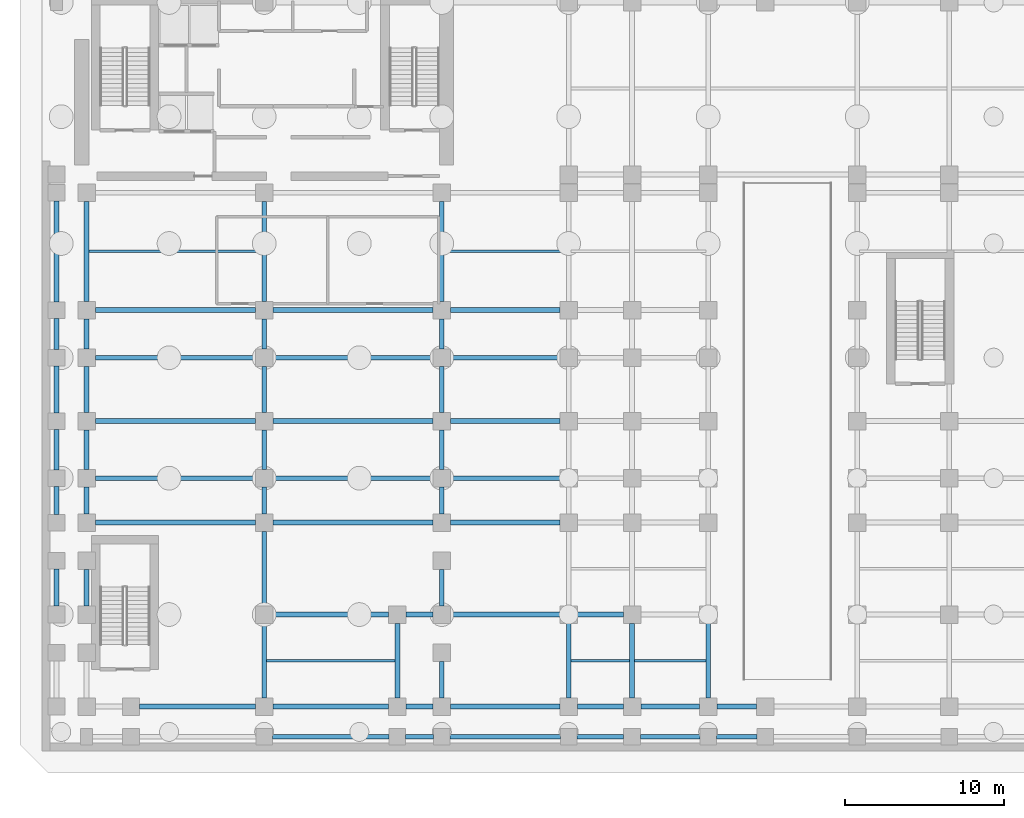
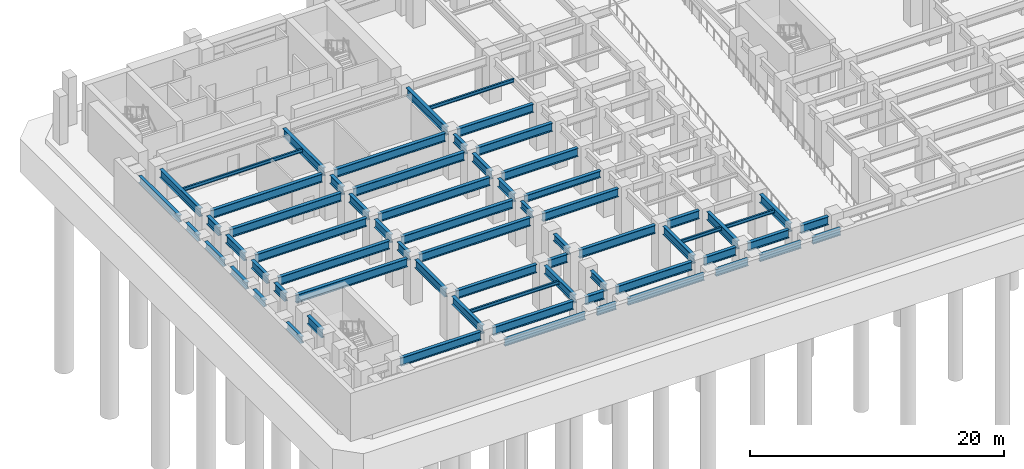
# One storey, part 2 of 13: 67 beams.
"""IFC4 building model written with IfcOpenShell, lengths in metres."""

from ifc_helpers import new_model, si_unit, direction, frame, origin, origin_2d, place, context, subcontext, project, spatial, i_section, extrude, material, material_profile, profile_set, type_object, element, save


model = new_model("IFC4")

# Units and contexts
model_context = context("Model", 3, precision=1e-05, world=origin(), true_north=direction((0.0, 1.0)))
body_context = subcontext(model_context, "Body", "Model", "MODEL_VIEW")
ifc_project = project(units=[si_unit("LENGTHUNIT", "METRE"), si_unit("AREAUNIT", "SQUARE_METRE"), si_unit("VOLUMEUNIT", "CUBIC_METRE"), si_unit("PLANEANGLEUNIT", "RADIAN"), si_unit("MASSUNIT", "GRAM", prefix="KILO")], contexts=[model_context])

# Site, building, storey
site_placement = place(None, origin())
site = spatial("IfcSite", under=ifc_project, at=site_placement, CompositionType="ELEMENT")
building_placement = place(site_placement, origin())
building = spatial("IfcBuilding", under=site, at=building_placement, Name="Kefirva Bronze Tower", CompositionType="ELEMENT")
storey_placement = place(building_placement, frame((0.0, 0.0, -9.239990234375)))
storey = spatial("IfcBuildingStorey", under=building, at=storey_placement, Name="B2", CompositionType="ELEMENT", Elevation=-9.239990234375)

# Beams
ifc_material = material(Name="Steel S355", Category="steel")
ifc_material_profile_1 = material_profile(ifc_material, i_section(OverallWidth=0.159912109375, OverallDepth=0.330078125, WebThickness=0.007568359375, FlangeThickness=0.011474609375, at=origin_2d()), Name="IPE 330")
ifc_profile_set_1 = profile_set([ifc_material_profile_1], Name="Steel S355")
beam_type_1 = type_object("IfcBeamType", Name="Steel Floor Joist IPE 330", PredefinedType="JOIST", material=ifc_profile_set_1)
beam_1_placement = place(storey_placement, frame((0.949951171875, 29.5, 4.10498046875), z_axis=(1.0, 0.0, 0.0), x_axis=(0.0, 1.0, 0.0)))
element("IfcBeam", 1, at=beam_1_placement, inside=storey, type_object=beam_type_1, Name="B2 JST-B2-0-295", PredefinedType="JOIST", context=body_context, shape_type="SweptSolid", body=[
    extrude(i_section(OverallWidth=0.159912109375, OverallDepth=0.330078125, WebThickness=0.007568359375, FlangeThickness=0.011474609375, at=origin_2d()), origin(), (0.0, 0.0, 1.0), 10.900146484375),
])
beam_2_placement = place(storey_placement, frame((12.14990234375, 3.699951171875, 4.10498046875), z_axis=(1.0, 0.0, 0.0), x_axis=(0.0, 1.0, 0.0)))
element("IfcBeam", 2, at=beam_2_placement, inside=storey, type_object=beam_type_1, Name="B2 JST-B2-12-37", PredefinedType="JOIST", context=body_context, shape_type="SweptSolid", body=[
    extrude(i_section(OverallWidth=0.159912109375, OverallDepth=0.330078125, WebThickness=0.007568359375, FlangeThickness=0.011474609375, at=origin_2d()), origin(), (0.0, 0.0, 1.0), 8.10009765625),
])
beam_3_placement = place(storey_placement, frame((23.35009765625, 29.5, 4.10498046875), z_axis=(1.0, 0.0, 0.0), x_axis=(0.0, 1.0, 0.0)))
element("IfcBeam", 3, at=beam_3_placement, inside=storey, type_object=beam_type_1, Name="B2 JST-B2-23-295", PredefinedType="JOIST", context=body_context, shape_type="SweptSolid", body=[
    extrude(i_section(OverallWidth=0.159912109375, OverallDepth=0.330078125, WebThickness=0.007568359375, FlangeThickness=0.011474609375, at=origin_2d()), origin(), (0.0, 0.0, 1.0), 7.699951171875),
])
beam_4_placement = place(storey_placement, frame((31.35009765625, 3.699951171875, 4.10498046875), z_axis=(1.0, 0.0, 0.0), x_axis=(0.0, 1.0, 0.0)))
element("IfcBeam", 4, at=beam_4_placement, inside=storey, type_object=beam_type_1, Name="B2 JST-B2-31-37", PredefinedType="JOIST", context=body_context, shape_type="SweptSolid", body=[
    extrude(i_section(OverallWidth=0.159912109375, OverallDepth=0.330078125, WebThickness=0.007568359375, FlangeThickness=0.011474609375, at=origin_2d()), origin(), (0.0, 0.0, 1.0), 3.699951171875),
])
beam_5_placement = place(storey_placement, frame((35.35009765625, 3.699951171875, 4.10498046875), z_axis=(1.0, 0.0, 0.0), x_axis=(0.0, 1.0, 0.0)))
element("IfcBeam", 5, at=beam_5_placement, inside=storey, type_object=beam_type_1, Name="B2 JST-B2-35-37", PredefinedType="JOIST", context=body_context, shape_type="SweptSolid", body=[
    extrude(i_section(OverallWidth=0.159912109375, OverallDepth=0.330078125, WebThickness=0.007568359375, FlangeThickness=0.011474609375, at=origin_2d()), origin(), (0.0, 0.0, 1.0), 4.5),
])
ifc_material_profile_2 = material_profile(ifc_material, i_section(OverallWidth=0.300048828125, OverallDepth=0.800048828125, WebThickness=0.017578125, FlangeThickness=0.032958984375, at=origin_2d()), Name="HEB 800")
ifc_profile_set_2 = profile_set([ifc_material_profile_2], Name="Steel S355")
beam_type_2 = type_object("IfcBeamType", Name="Steel Girder HEB 800", PredefinedType="USERDEFINED", material=ifc_profile_set_2)
for number, where, z_axis, x_axis, name in (
    (6, (4.14990234375, 0.800048828125, 3.869873046875), (1.0, 0.0, 0.0), (0.0, 1.0, 0.0), "B2 BM-B2-EW-3-8"),
    (7, (12.550048828125, 0.800048828125, 3.869873046875), (1.0, 0.0, 0.0), (0.0, 1.0, 0.0), "B2 BM-B2-EW-12-8"),
):
    element("IfcBeam", number, at=place(storey_placement, frame(where, z_axis=z_axis, x_axis=x_axis)), inside=storey, type_object=beam_type_2, Name=name, ObjectType="GIRDER", PredefinedType="USERDEFINED", context=body_context, shape_type="SweptSolid", body=[
        extrude(i_section(OverallWidth=0.300048828125, OverallDepth=0.800048828125, WebThickness=0.017578125, FlangeThickness=0.032958984375, at=origin_2d()), origin(), (0.0, 0.0, 1.0), 7.300048828125),
    ])
beam_6_placement = place(storey_placement, frame((20.949951171875, 0.800048828125, 3.869873046875), z_axis=(1.0, 0.0, 0.0), x_axis=(0.0, 1.0, 0.0)))
element("IfcBeam", 8, at=beam_6_placement, inside=storey, type_object=beam_type_2, Name="B2 BM-B2-EW-20-8", ObjectType="GIRDER", PredefinedType="USERDEFINED", context=body_context, shape_type="SweptSolid", body=[
    extrude(i_section(OverallWidth=0.300048828125, OverallDepth=0.800048828125, WebThickness=0.017578125, FlangeThickness=0.032958984375, at=origin_2d()), origin(), (0.0, 0.0, 1.0), 1.699951171875),
])
beam_7_placement = place(storey_placement, frame((23.75, 0.800048828125, 3.869873046875), z_axis=(1.0, 0.0, 0.0), x_axis=(0.0, 1.0, 0.0)))
element("IfcBeam", 9, at=beam_7_placement, inside=storey, type_object=beam_type_2, Name="B2 BM-B2-EW-23-8", ObjectType="GIRDER", PredefinedType="USERDEFINED", context=body_context, shape_type="SweptSolid", body=[
    extrude(i_section(OverallWidth=0.300048828125, OverallDepth=0.800048828125, WebThickness=0.017578125, FlangeThickness=0.032958984375, at=origin_2d()), origin(), (0.0, 0.0, 1.0), 6.89990234375),
])
beam_8_placement = place(storey_placement, frame((31.75, 0.800048828125, 3.869873046875), z_axis=(1.0, 0.0, 0.0), x_axis=(0.0, 1.0, 0.0)))
element("IfcBeam", 10, at=beam_8_placement, inside=storey, type_object=beam_type_2, Name="B2 BM-B2-EW-31-8", ObjectType="GIRDER", PredefinedType="USERDEFINED", context=body_context, shape_type="SweptSolid", body=[
    extrude(i_section(OverallWidth=0.300048828125, OverallDepth=0.800048828125, WebThickness=0.017578125, FlangeThickness=0.032958984375, at=origin_2d()), origin(), (0.0, 0.0, 1.0), 2.89990234375),
])
beam_9_placement = place(storey_placement, frame((35.75, 0.800048828125, 3.869873046875), z_axis=(1.0, 0.0, 0.0), x_axis=(0.0, 1.0, 0.0)))
element("IfcBeam", 11, at=beam_9_placement, inside=storey, type_object=beam_type_2, Name="B2 BM-B2-EW-35-8", ObjectType="GIRDER", PredefinedType="USERDEFINED", context=body_context, shape_type="SweptSolid", body=[
    extrude(i_section(OverallWidth=0.300048828125, OverallDepth=0.800048828125, WebThickness=0.017578125, FlangeThickness=0.032958984375, at=origin_2d()), origin(), (0.0, 0.0, 1.0), 3.699951171875),
])
beam_10_placement = place(storey_placement, frame((40.550048828125, 0.800048828125, 3.869873046875), z_axis=(1.0, 0.0, 0.0), x_axis=(0.0, 1.0, 0.0)))
element("IfcBeam", 12, at=beam_10_placement, inside=storey, type_object=beam_type_2, Name="B2 BM-B2-EW-40-8", ObjectType="GIRDER", PredefinedType="USERDEFINED", context=body_context, shape_type="SweptSolid", body=[
    extrude(i_section(OverallWidth=0.300048828125, OverallDepth=0.800048828125, WebThickness=0.017578125, FlangeThickness=0.032958984375, at=origin_2d()), origin(), (0.0, 0.0, 1.0), 2.5),
])
beam_11_placement = place(storey_placement, frame((12.550048828125, 6.60009765625, 3.869873046875), z_axis=(1.0, 0.0, 0.0), x_axis=(0.0, 1.0, 0.0)))
element("IfcBeam", 13, at=beam_11_placement, inside=storey, type_object=beam_type_2, Name="B2 BM-B2-EW-12-66", ObjectType="GIRDER", PredefinedType="USERDEFINED", context=body_context, shape_type="SweptSolid", body=[
    extrude(i_section(OverallWidth=0.300048828125, OverallDepth=0.800048828125, WebThickness=0.017578125, FlangeThickness=0.032958984375, at=origin_2d()), origin(), (0.0, 0.0, 1.0), 7.300048828125),
])
beam_12_placement = place(storey_placement, frame((20.949951171875, 6.60009765625, 3.869873046875), z_axis=(1.0, 0.0, 0.0), x_axis=(0.0, 1.0, 0.0)))
element("IfcBeam", 14, at=beam_12_placement, inside=storey, type_object=beam_type_2, Name="B2 BM-B2-EW-20-66", ObjectType="GIRDER", PredefinedType="USERDEFINED", context=body_context, shape_type="SweptSolid", body=[
    extrude(i_section(OverallWidth=0.300048828125, OverallDepth=0.800048828125, WebThickness=0.017578125, FlangeThickness=0.032958984375, at=origin_2d()), origin(), (0.0, 0.0, 1.0), 1.699951171875),
])
beam_13_placement = place(storey_placement, frame((23.75, 6.60009765625, 3.869873046875), z_axis=(1.0, 0.0, 0.0), x_axis=(0.0, 1.0, 0.0)))
element("IfcBeam", 15, at=beam_13_placement, inside=storey, type_object=beam_type_2, Name="B2 BM-B2-EW-23-66", ObjectType="GIRDER", PredefinedType="USERDEFINED", context=body_context, shape_type="SweptSolid", body=[
    extrude(i_section(OverallWidth=0.300048828125, OverallDepth=0.800048828125, WebThickness=0.017578125, FlangeThickness=0.032958984375, at=origin_2d()), origin(), (0.0, 0.0, 1.0), 6.89990234375),
])
beam_14_placement = place(storey_placement, frame((31.75, 6.60009765625, 3.869873046875), z_axis=(1.0, 0.0, 0.0), x_axis=(0.0, 1.0, 0.0)))
element("IfcBeam", 16, at=beam_14_placement, inside=storey, type_object=beam_type_2, Name="B2 BM-B2-EW-31-66", ObjectType="GIRDER", PredefinedType="USERDEFINED", context=body_context, shape_type="SweptSolid", body=[
    extrude(i_section(OverallWidth=0.300048828125, OverallDepth=0.800048828125, WebThickness=0.017578125, FlangeThickness=0.032958984375, at=origin_2d()), origin(), (0.0, 0.0, 1.0), 2.89990234375),
])
for number, where, z_axis, x_axis, name in (
    (17, (1.35009765625, 12.39990234375, 3.869873046875), (1.0, 0.0, 0.0), (0.0, 1.0, 0.0), "B2 BM-B2-EW-0-124"),
    (18, (12.550048828125, 12.39990234375, 3.869873046875), (1.0, 0.0, 0.0), (0.0, 1.0, 0.0), "B2 BM-B2-EW-12-124"),
):
    element("IfcBeam", number, at=place(storey_placement, frame(where, z_axis=z_axis, x_axis=x_axis)), inside=storey, type_object=beam_type_2, Name=name, ObjectType="GIRDER", PredefinedType="USERDEFINED", context=body_context, shape_type="SweptSolid", body=[
        extrude(i_section(OverallWidth=0.300048828125, OverallDepth=0.800048828125, WebThickness=0.017578125, FlangeThickness=0.032958984375, at=origin_2d()), origin(), (0.0, 0.0, 1.0), 10.099853515625),
    ])
beam_15_placement = place(storey_placement, frame((23.75, 12.39990234375, 3.869873046875), z_axis=(1.0, 0.0, 0.0), x_axis=(0.0, 1.0, 0.0)))
element("IfcBeam", 19, at=beam_15_placement, inside=storey, type_object=beam_type_2, Name="B2 BM-B2-EW-23-124", ObjectType="GIRDER", PredefinedType="USERDEFINED", context=body_context, shape_type="SweptSolid", body=[
    extrude(i_section(OverallWidth=0.300048828125, OverallDepth=0.800048828125, WebThickness=0.017578125, FlangeThickness=0.032958984375, at=origin_2d()), origin(), (0.0, 0.0, 1.0), 6.89990234375),
])
for number, where, z_axis, x_axis, name in (
    (20, (1.35009765625, 15.199951171875, 3.869873046875), (1.0, 0.0, 0.0), (0.0, 1.0, 0.0), "B2 BM-B2-EW-0-152"),
    (21, (12.550048828125, 15.199951171875, 3.869873046875), (1.0, 0.0, 0.0), (0.0, 1.0, 0.0), "B2 BM-B2-EW-12-152"),
    (22, (1.35009765625, 18.800048828125, 3.869873046875), (1.0, 0.0, 0.0), (0.0, 1.0, 0.0), "B2 BM-B2-EW-0-188"),
    (23, (12.550048828125, 18.800048828125, 3.869873046875), (1.0, 0.0, 0.0), (0.0, 1.0, 0.0), "B2 BM-B2-EW-12-188"),
):
    element("IfcBeam", number, at=place(storey_placement, frame(where, z_axis=z_axis, x_axis=x_axis)), inside=storey, type_object=beam_type_2, Name=name, ObjectType="GIRDER", PredefinedType="USERDEFINED", context=body_context, shape_type="SweptSolid", body=[
        extrude(i_section(OverallWidth=0.300048828125, OverallDepth=0.800048828125, WebThickness=0.017578125, FlangeThickness=0.032958984375, at=origin_2d()), origin(), (0.0, 0.0, 1.0), 10.099853515625),
    ])
beam_16_placement = place(storey_placement, frame((23.75, 18.800048828125, 3.869873046875), z_axis=(1.0, 0.0, 0.0), x_axis=(0.0, 1.0, 0.0)))
element("IfcBeam", 24, at=beam_16_placement, inside=storey, type_object=beam_type_2, Name="B2 BM-B2-EW-23-188", ObjectType="GIRDER", PredefinedType="USERDEFINED", context=body_context, shape_type="SweptSolid", body=[
    extrude(i_section(OverallWidth=0.300048828125, OverallDepth=0.800048828125, WebThickness=0.017578125, FlangeThickness=0.032958984375, at=origin_2d()), origin(), (0.0, 0.0, 1.0), 6.89990234375),
])
for number, where, z_axis, x_axis, name in (
    (25, (1.35009765625, 22.800048828125, 3.869873046875), (1.0, 0.0, 0.0), (0.0, 1.0, 0.0), "B2 BM-B2-EW-0-228"),
    (26, (12.550048828125, 22.800048828125, 3.869873046875), (1.0, 0.0, 0.0), (0.0, 1.0, 0.0), "B2 BM-B2-EW-12-228"),
):
    element("IfcBeam", number, at=place(storey_placement, frame(where, z_axis=z_axis, x_axis=x_axis)), inside=storey, type_object=beam_type_2, Name=name, ObjectType="GIRDER", PredefinedType="USERDEFINED", context=body_context, shape_type="SweptSolid", body=[
        extrude(i_section(OverallWidth=0.300048828125, OverallDepth=0.800048828125, WebThickness=0.017578125, FlangeThickness=0.032958984375, at=origin_2d()), origin(), (0.0, 0.0, 1.0), 10.099853515625),
    ])
beam_17_placement = place(storey_placement, frame((23.75, 22.800048828125, 3.869873046875), z_axis=(1.0, 0.0, 0.0), x_axis=(0.0, 1.0, 0.0)))
element("IfcBeam", 27, at=beam_17_placement, inside=storey, type_object=beam_type_2, Name="B2 BM-B2-EW-23-228", ObjectType="GIRDER", PredefinedType="USERDEFINED", context=body_context, shape_type="SweptSolid", body=[
    extrude(i_section(OverallWidth=0.300048828125, OverallDepth=0.800048828125, WebThickness=0.017578125, FlangeThickness=0.032958984375, at=origin_2d()), origin(), (0.0, 0.0, 1.0), 6.89990234375),
])
for number, where, z_axis, x_axis, name in (
    (28, (1.35009765625, 25.800048828125, 3.869873046875), (1.0, 0.0, 0.0), (0.0, 1.0, 0.0), "B2 BM-B2-EW-0-258"),
    (29, (12.550048828125, 25.800048828125, 3.869873046875), (1.0, 0.0, 0.0), (0.0, 1.0, 0.0), "B2 BM-B2-EW-12-258"),
):
    element("IfcBeam", number, at=place(storey_placement, frame(where, z_axis=z_axis, x_axis=x_axis)), inside=storey, type_object=beam_type_2, Name=name, ObjectType="GIRDER", PredefinedType="USERDEFINED", context=body_context, shape_type="SweptSolid", body=[
        extrude(i_section(OverallWidth=0.300048828125, OverallDepth=0.800048828125, WebThickness=0.017578125, FlangeThickness=0.032958984375, at=origin_2d()), origin(), (0.0, 0.0, 1.0), 10.099853515625),
    ])
beam_18_placement = place(storey_placement, frame((23.75, 25.800048828125, 3.869873046875), z_axis=(1.0, 0.0, 0.0), x_axis=(0.0, 1.0, 0.0)))
element("IfcBeam", 30, at=beam_18_placement, inside=storey, type_object=beam_type_2, Name="B2 BM-B2-EW-23-258", ObjectType="GIRDER", PredefinedType="USERDEFINED", context=body_context, shape_type="SweptSolid", body=[
    extrude(i_section(OverallWidth=0.300048828125, OverallDepth=0.800048828125, WebThickness=0.017578125, FlangeThickness=0.032958984375, at=origin_2d()), origin(), (0.0, 0.0, 1.0), 6.89990234375),
])
beam_19_placement = place(storey_placement, frame((0.800048828125, 7.14990234375, 3.869873046875), z_axis=(0.0, 1.0, 0.0), x_axis=(-1.0, 0.0, 0.0)))
element("IfcBeam", 31, at=beam_19_placement, inside=storey, type_object=beam_type_2, Name="B2 BM-B2-NS-8-6", ObjectType="GIRDER", PredefinedType="USERDEFINED", context=body_context, shape_type="SweptSolid", body=[
    extrude(i_section(OverallWidth=0.300048828125, OverallDepth=0.800048828125, WebThickness=0.017578125, FlangeThickness=0.032958984375, at=origin_2d()), origin(), (0.0, 0.0, 1.0), 2.300048828125),
])
beam_20_placement = place(storey_placement, frame((0.800048828125, 12.949951171875, 3.869873046875), z_axis=(0.0, 1.0, 0.0), x_axis=(-1.0, 0.0, 0.0)))
element("IfcBeam", 32, at=beam_20_placement, inside=storey, type_object=beam_type_2, Name="B2 BM-B2-NS-8-12", ObjectType="GIRDER", PredefinedType="USERDEFINED", context=body_context, shape_type="SweptSolid", body=[
    extrude(i_section(OverallWidth=0.300048828125, OverallDepth=0.800048828125, WebThickness=0.017578125, FlangeThickness=0.032958984375, at=origin_2d()), origin(), (0.0, 0.0, 1.0), 1.699951171875),
])
beam_21_placement = place(storey_placement, frame((0.800048828125, 15.75, 3.869873046875), z_axis=(0.0, 1.0, 0.0), x_axis=(-1.0, 0.0, 0.0)))
element("IfcBeam", 33, at=beam_21_placement, inside=storey, type_object=beam_type_2, Name="B2 BM-B2-NS-8-15", ObjectType="GIRDER", PredefinedType="USERDEFINED", context=body_context, shape_type="SweptSolid", body=[
    extrude(i_section(OverallWidth=0.300048828125, OverallDepth=0.800048828125, WebThickness=0.017578125, FlangeThickness=0.032958984375, at=origin_2d()), origin(), (0.0, 0.0, 1.0), 2.5),
])
beam_22_placement = place(storey_placement, frame((0.800048828125, 19.35009765625, 3.869873046875), z_axis=(0.0, 1.0, 0.0), x_axis=(-1.0, 0.0, 0.0)))
element("IfcBeam", 34, at=beam_22_placement, inside=storey, type_object=beam_type_2, Name="B2 BM-B2-NS-8-18", ObjectType="GIRDER", PredefinedType="USERDEFINED", context=body_context, shape_type="SweptSolid", body=[
    extrude(i_section(OverallWidth=0.300048828125, OverallDepth=0.800048828125, WebThickness=0.017578125, FlangeThickness=0.032958984375, at=origin_2d()), origin(), (0.0, 0.0, 1.0), 2.89990234375),
])
beam_23_placement = place(storey_placement, frame((0.800048828125, 23.35009765625, 3.869873046875), z_axis=(0.0, 1.0, 0.0), x_axis=(-1.0, 0.0, 0.0)))
element("IfcBeam", 35, at=beam_23_placement, inside=storey, type_object=beam_type_2, Name="B2 BM-B2-NS-8-22", ObjectType="GIRDER", PredefinedType="USERDEFINED", context=body_context, shape_type="SweptSolid", body=[
    extrude(i_section(OverallWidth=0.300048828125, OverallDepth=0.800048828125, WebThickness=0.017578125, FlangeThickness=0.032958984375, at=origin_2d()), origin(), (0.0, 0.0, 1.0), 1.89990234375),
])
beam_24_placement = place(storey_placement, frame((0.800048828125, 26.35009765625, 3.869873046875), z_axis=(0.0, 1.0, 0.0), x_axis=(-1.0, 0.0, 0.0)))
element("IfcBeam", 36, at=beam_24_placement, inside=storey, type_object=beam_type_2, Name="B2 BM-B2-NS-8-25", ObjectType="GIRDER", PredefinedType="USERDEFINED", context=body_context, shape_type="SweptSolid", body=[
    extrude(i_section(OverallWidth=0.300048828125, OverallDepth=0.800048828125, WebThickness=0.017578125, FlangeThickness=0.032958984375, at=origin_2d()), origin(), (0.0, 0.0, 1.0), 6.2998046875),
])
beam_25_placement = place(storey_placement, frame((12.0, 1.35009765625, 3.869873046875), z_axis=(0.0, 1.0, 0.0), x_axis=(-1.0, 0.0, 0.0)))
element("IfcBeam", 37, at=beam_25_placement, inside=storey, type_object=beam_type_2, Name="B2 BM-B2-NS-120-0", ObjectType="GIRDER", PredefinedType="USERDEFINED", context=body_context, shape_type="SweptSolid", body=[
    extrude(i_section(OverallWidth=0.300048828125, OverallDepth=0.800048828125, WebThickness=0.017578125, FlangeThickness=0.032958984375, at=origin_2d()), origin(), (0.0, 0.0, 1.0), 4.699951171875),
])
beam_26_placement = place(storey_placement, frame((12.0, 7.14990234375, 3.869873046875), z_axis=(0.0, 1.0, 0.0), x_axis=(-1.0, 0.0, 0.0)))
element("IfcBeam", 38, at=beam_26_placement, inside=storey, type_object=beam_type_2, Name="B2 BM-B2-NS-120-6", ObjectType="GIRDER", PredefinedType="USERDEFINED", context=body_context, shape_type="SweptSolid", body=[
    extrude(i_section(OverallWidth=0.300048828125, OverallDepth=0.800048828125, WebThickness=0.017578125, FlangeThickness=0.032958984375, at=origin_2d()), origin(), (0.0, 0.0, 1.0), 4.7001953125),
])
beam_27_placement = place(storey_placement, frame((12.0, 12.949951171875, 3.869873046875), z_axis=(0.0, 1.0, 0.0), x_axis=(-1.0, 0.0, 0.0)))
element("IfcBeam", 39, at=beam_27_placement, inside=storey, type_object=beam_type_2, Name="B2 BM-B2-NS-120-12", ObjectType="GIRDER", PredefinedType="USERDEFINED", context=body_context, shape_type="SweptSolid", body=[
    extrude(i_section(OverallWidth=0.300048828125, OverallDepth=0.800048828125, WebThickness=0.017578125, FlangeThickness=0.032958984375, at=origin_2d()), origin(), (0.0, 0.0, 1.0), 1.699951171875),
])
beam_28_placement = place(storey_placement, frame((12.0, 15.75, 3.869873046875), z_axis=(0.0, 1.0, 0.0), x_axis=(-1.0, 0.0, 0.0)))
element("IfcBeam", 40, at=beam_28_placement, inside=storey, type_object=beam_type_2, Name="B2 BM-B2-NS-120-15", ObjectType="GIRDER", PredefinedType="USERDEFINED", context=body_context, shape_type="SweptSolid", body=[
    extrude(i_section(OverallWidth=0.300048828125, OverallDepth=0.800048828125, WebThickness=0.017578125, FlangeThickness=0.032958984375, at=origin_2d()), origin(), (0.0, 0.0, 1.0), 2.5),
])
beam_29_placement = place(storey_placement, frame((12.0, 19.35009765625, 3.869873046875), z_axis=(0.0, 1.0, 0.0), x_axis=(-1.0, 0.0, 0.0)))
element("IfcBeam", 41, at=beam_29_placement, inside=storey, type_object=beam_type_2, Name="B2 BM-B2-NS-120-18", ObjectType="GIRDER", PredefinedType="USERDEFINED", context=body_context, shape_type="SweptSolid", body=[
    extrude(i_section(OverallWidth=0.300048828125, OverallDepth=0.800048828125, WebThickness=0.017578125, FlangeThickness=0.032958984375, at=origin_2d()), origin(), (0.0, 0.0, 1.0), 2.89990234375),
])
beam_30_placement = place(storey_placement, frame((12.0, 23.35009765625, 3.869873046875), z_axis=(0.0, 1.0, 0.0), x_axis=(-1.0, 0.0, 0.0)))
element("IfcBeam", 42, at=beam_30_placement, inside=storey, type_object=beam_type_2, Name="B2 BM-B2-NS-120-22", ObjectType="GIRDER", PredefinedType="USERDEFINED", context=body_context, shape_type="SweptSolid", body=[
    extrude(i_section(OverallWidth=0.300048828125, OverallDepth=0.800048828125, WebThickness=0.017578125, FlangeThickness=0.032958984375, at=origin_2d()), origin(), (0.0, 0.0, 1.0), 1.89990234375),
])
beam_31_placement = place(storey_placement, frame((12.0, 26.35009765625, 3.869873046875), z_axis=(0.0, 1.0, 0.0), x_axis=(-1.0, 0.0, 0.0)))
element("IfcBeam", 43, at=beam_31_placement, inside=storey, type_object=beam_type_2, Name="B2 BM-B2-NS-120-25", ObjectType="GIRDER", PredefinedType="USERDEFINED", context=body_context, shape_type="SweptSolid", body=[
    extrude(i_section(OverallWidth=0.300048828125, OverallDepth=0.800048828125, WebThickness=0.017578125, FlangeThickness=0.032958984375, at=origin_2d()), origin(), (0.0, 0.0, 1.0), 6.2998046875),
])
beam_32_placement = place(storey_placement, frame((20.39990234375, 1.35009765625, 3.869873046875), z_axis=(0.0, 1.0, 0.0), x_axis=(-1.0, 0.0, 0.0)))
element("IfcBeam", 44, at=beam_32_placement, inside=storey, type_object=beam_type_2, Name="B2 BM-B2-NS-204-0", ObjectType="GIRDER", PredefinedType="USERDEFINED", context=body_context, shape_type="SweptSolid", body=[
    extrude(i_section(OverallWidth=0.300048828125, OverallDepth=0.800048828125, WebThickness=0.017578125, FlangeThickness=0.032958984375, at=origin_2d()), origin(), (0.0, 0.0, 1.0), 4.699951171875),
])
beam_33_placement = place(storey_placement, frame((23.199951171875, 15.75, 3.869873046875), z_axis=(0.0, 1.0, 0.0), x_axis=(-1.0, 0.0, 0.0)))
element("IfcBeam", 45, at=beam_33_placement, inside=storey, type_object=beam_type_2, Name="B2 BM-B2-NS-232-15", ObjectType="GIRDER", PredefinedType="USERDEFINED", context=body_context, shape_type="SweptSolid", body=[
    extrude(i_section(OverallWidth=0.300048828125, OverallDepth=0.800048828125, WebThickness=0.017578125, FlangeThickness=0.032958984375, at=origin_2d()), origin(), (0.0, 0.0, 1.0), 2.5),
])
beam_34_placement = place(storey_placement, frame((23.199951171875, 19.35009765625, 3.869873046875), z_axis=(0.0, 1.0, 0.0), x_axis=(-1.0, 0.0, 0.0)))
element("IfcBeam", 46, at=beam_34_placement, inside=storey, type_object=beam_type_2, Name="B2 BM-B2-NS-232-18", ObjectType="GIRDER", PredefinedType="USERDEFINED", context=body_context, shape_type="SweptSolid", body=[
    extrude(i_section(OverallWidth=0.300048828125, OverallDepth=0.800048828125, WebThickness=0.017578125, FlangeThickness=0.032958984375, at=origin_2d()), origin(), (0.0, 0.0, 1.0), 2.89990234375),
])
beam_35_placement = place(storey_placement, frame((23.199951171875, 23.35009765625, 3.869873046875), z_axis=(0.0, 1.0, 0.0), x_axis=(-1.0, 0.0, 0.0)))
element("IfcBeam", 47, at=beam_35_placement, inside=storey, type_object=beam_type_2, Name="B2 BM-B2-NS-232-22", ObjectType="GIRDER", PredefinedType="USERDEFINED", context=body_context, shape_type="SweptSolid", body=[
    extrude(i_section(OverallWidth=0.300048828125, OverallDepth=0.800048828125, WebThickness=0.017578125, FlangeThickness=0.032958984375, at=origin_2d()), origin(), (0.0, 0.0, 1.0), 1.89990234375),
])
beam_36_placement = place(storey_placement, frame((23.199951171875, 26.35009765625, 3.869873046875), z_axis=(0.0, 1.0, 0.0), x_axis=(-1.0, 0.0, 0.0)))
element("IfcBeam", 48, at=beam_36_placement, inside=storey, type_object=beam_type_2, Name="B2 BM-B2-NS-232-25", ObjectType="GIRDER", PredefinedType="USERDEFINED", context=body_context, shape_type="SweptSolid", body=[
    extrude(i_section(OverallWidth=0.300048828125, OverallDepth=0.800048828125, WebThickness=0.017578125, FlangeThickness=0.032958984375, at=origin_2d()), origin(), (0.0, 0.0, 1.0), 6.2998046875),
])
for number, where, z_axis, x_axis, name in (
    (49, (31.199951171875, 1.35009765625, 3.869873046875), (0.0, 1.0, 0.0), (-1.0, 0.0, 0.0), "B2 BM-B2-NS-312-0"),
    (50, (35.199951171875, 1.35009765625, 3.869873046875), (0.0, 1.0, 0.0), (-1.0, 0.0, 0.0), "B2 BM-B2-NS-352-0"),
    (51, (40.0, 1.35009765625, 3.869873046875), (0.0, 1.0, 0.0), (-1.0, 0.0, 0.0), "B2 BM-B2-NS-400-0"),
):
    element("IfcBeam", number, at=place(storey_placement, frame(where, z_axis=z_axis, x_axis=x_axis)), inside=storey, type_object=beam_type_2, Name=name, ObjectType="GIRDER", PredefinedType="USERDEFINED", context=body_context, shape_type="SweptSolid", body=[
        extrude(i_section(OverallWidth=0.300048828125, OverallDepth=0.800048828125, WebThickness=0.017578125, FlangeThickness=0.032958984375, at=origin_2d()), origin(), (0.0, 0.0, 1.0), 4.699951171875),
    ])
ifc_material_profile_3 = material_profile(ifc_material, i_section(OverallWidth=0.300048828125, OverallDepth=0.64990234375, WebThickness=0.01611328125, FlangeThickness=0.031005859375, at=origin_2d()), Name="HEB 650")
ifc_profile_set_3 = profile_set([ifc_material_profile_3], Name="Steel S355")
beam_type_3 = type_object("IfcBeamType", Name="Steel Spandrel HEB 650 Ext", PredefinedType="SPANDREL", material=ifc_profile_set_3)
beam_37_placement = place(storey_placement, frame((12.52490234375, -1.10009765625, 3.945068359375), z_axis=(1.0, 0.0, 0.0), x_axis=(0.0, 1.0, 0.0)))
element("IfcBeam", 52, at=beam_37_placement, inside=storey, type_object=beam_type_3, Name="B2 BM-B2-EW-12--11", PredefinedType="SPANDREL", context=body_context, shape_type="SweptSolid", body=[
    extrude(i_section(OverallWidth=0.300048828125, OverallDepth=0.64990234375, WebThickness=0.01611328125, FlangeThickness=0.031005859375, at=origin_2d()), origin(), (0.0, 0.0, 1.0), 7.35009765625),
])
beam_38_placement = place(storey_placement, frame((20.925048828125, -1.10009765625, 3.945068359375), z_axis=(1.0, 0.0, 0.0), x_axis=(0.0, 1.0, 0.0)))
element("IfcBeam", 53, at=beam_38_placement, inside=storey, type_object=beam_type_3, Name="B2 BM-B2-EW-20--11", PredefinedType="SPANDREL", context=body_context, shape_type="SweptSolid", body=[
    extrude(i_section(OverallWidth=0.300048828125, OverallDepth=0.64990234375, WebThickness=0.01611328125, FlangeThickness=0.031005859375, at=origin_2d()), origin(), (0.0, 0.0, 1.0), 1.75),
])
beam_39_placement = place(storey_placement, frame((23.72509765625, -1.10009765625, 3.945068359375), z_axis=(1.0, 0.0, 0.0), x_axis=(0.0, 1.0, 0.0)))
element("IfcBeam", 54, at=beam_39_placement, inside=storey, type_object=beam_type_3, Name="B2 BM-B2-EW-23--11", PredefinedType="SPANDREL", context=body_context, shape_type="SweptSolid", body=[
    extrude(i_section(OverallWidth=0.300048828125, OverallDepth=0.64990234375, WebThickness=0.01611328125, FlangeThickness=0.031005859375, at=origin_2d()), origin(), (0.0, 0.0, 1.0), 6.949951171875),
])
beam_40_placement = place(storey_placement, frame((31.72509765625, -1.10009765625, 3.945068359375), z_axis=(1.0, 0.0, 0.0), x_axis=(0.0, 1.0, 0.0)))
element("IfcBeam", 55, at=beam_40_placement, inside=storey, type_object=beam_type_3, Name="B2 BM-B2-EW-31--11", PredefinedType="SPANDREL", context=body_context, shape_type="SweptSolid", body=[
    extrude(i_section(OverallWidth=0.300048828125, OverallDepth=0.64990234375, WebThickness=0.01611328125, FlangeThickness=0.031005859375, at=origin_2d()), origin(), (0.0, 0.0, 1.0), 2.949951171875),
])
beam_41_placement = place(storey_placement, frame((35.72509765625, -1.10009765625, 3.945068359375), z_axis=(1.0, 0.0, 0.0), x_axis=(0.0, 1.0, 0.0)))
element("IfcBeam", 56, at=beam_41_placement, inside=storey, type_object=beam_type_3, Name="B2 BM-B2-EW-35--11", PredefinedType="SPANDREL", context=body_context, shape_type="SweptSolid", body=[
    extrude(i_section(OverallWidth=0.300048828125, OverallDepth=0.64990234375, WebThickness=0.01611328125, FlangeThickness=0.031005859375, at=origin_2d()), origin(), (0.0, 0.0, 1.0), 3.75),
])
beam_42_placement = place(storey_placement, frame((40.52490234375, -1.10009765625, 3.945068359375), z_axis=(1.0, 0.0, 0.0), x_axis=(0.0, 1.0, 0.0)))
element("IfcBeam", 57, at=beam_42_placement, inside=storey, type_object=beam_type_3, Name="B2 BM-B2-EW-40--11", PredefinedType="SPANDREL", context=body_context, shape_type="SweptSolid", body=[
    extrude(i_section(OverallWidth=0.300048828125, OverallDepth=0.64990234375, WebThickness=0.01611328125, FlangeThickness=0.031005859375, at=origin_2d()), origin(), (0.0, 0.0, 1.0), 2.550048828125),
])
beam_43_placement = place(storey_placement, frame((23.75, 15.199951171875, 3.945068359375), z_axis=(1.0, 0.0, 0.0), x_axis=(0.0, 1.0, 0.0)))
element("IfcBeam", 58, at=beam_43_placement, inside=storey, type_object=beam_type_3, Name="B2 BM-B2-EW-23-152", PredefinedType="SPANDREL", context=body_context, shape_type="SweptSolid", body=[
    extrude(i_section(OverallWidth=0.300048828125, OverallDepth=0.64990234375, WebThickness=0.01611328125, FlangeThickness=0.031005859375, at=origin_2d()), origin(), (0.0, 0.0, 1.0), 6.89990234375),
])
beam_44_placement = place(storey_placement, frame((-1.10009765625, 7.125, 3.945068359375), z_axis=(0.0, 1.0, 0.0), x_axis=(-1.0, 0.0, 0.0)))
element("IfcBeam", 59, at=beam_44_placement, inside=storey, type_object=beam_type_3, Name="B2 BM-B2-NS--11-6", PredefinedType="SPANDREL", context=body_context, shape_type="SweptSolid", body=[
    extrude(i_section(OverallWidth=0.300048828125, OverallDepth=0.64990234375, WebThickness=0.01611328125, FlangeThickness=0.031005859375, at=origin_2d()), origin(), (0.0, 0.0, 1.0), 2.35009765625),
])
beam_45_placement = place(storey_placement, frame((-1.10009765625, 12.925048828125, 3.945068359375), z_axis=(0.0, 1.0, 0.0), x_axis=(-1.0, 0.0, 0.0)))
element("IfcBeam", 60, at=beam_45_placement, inside=storey, type_object=beam_type_3, Name="B2 BM-B2-NS--11-12", PredefinedType="SPANDREL", context=body_context, shape_type="SweptSolid", body=[
    extrude(i_section(OverallWidth=0.300048828125, OverallDepth=0.64990234375, WebThickness=0.01611328125, FlangeThickness=0.031005859375, at=origin_2d()), origin(), (0.0, 0.0, 1.0), 1.75),
])
beam_46_placement = place(storey_placement, frame((-1.10009765625, 15.72509765625, 3.945068359375), z_axis=(0.0, 1.0, 0.0), x_axis=(-1.0, 0.0, 0.0)))
element("IfcBeam", 61, at=beam_46_placement, inside=storey, type_object=beam_type_3, Name="B2 BM-B2-NS--11-15", PredefinedType="SPANDREL", context=body_context, shape_type="SweptSolid", body=[
    extrude(i_section(OverallWidth=0.300048828125, OverallDepth=0.64990234375, WebThickness=0.01611328125, FlangeThickness=0.031005859375, at=origin_2d()), origin(), (0.0, 0.0, 1.0), 2.5498046875),
])
beam_47_placement = place(storey_placement, frame((-1.10009765625, 19.324951171875, 3.945068359375), z_axis=(0.0, 1.0, 0.0), x_axis=(-1.0, 0.0, 0.0)))
element("IfcBeam", 62, at=beam_47_placement, inside=storey, type_object=beam_type_3, Name="B2 BM-B2-NS--11-18", PredefinedType="SPANDREL", context=body_context, shape_type="SweptSolid", body=[
    extrude(i_section(OverallWidth=0.300048828125, OverallDepth=0.64990234375, WebThickness=0.01611328125, FlangeThickness=0.031005859375, at=origin_2d()), origin(), (0.0, 0.0, 1.0), 2.949951171875),
])
beam_48_placement = place(storey_placement, frame((-1.10009765625, 23.324951171875, 3.945068359375), z_axis=(0.0, 1.0, 0.0), x_axis=(-1.0, 0.0, 0.0)))
element("IfcBeam", 63, at=beam_48_placement, inside=storey, type_object=beam_type_3, Name="B2 BM-B2-NS--11-22", PredefinedType="SPANDREL", context=body_context, shape_type="SweptSolid", body=[
    extrude(i_section(OverallWidth=0.300048828125, OverallDepth=0.64990234375, WebThickness=0.01611328125, FlangeThickness=0.031005859375, at=origin_2d()), origin(), (0.0, 0.0, 1.0), 1.949951171875),
])
beam_49_placement = place(storey_placement, frame((-1.10009765625, 26.324951171875, 3.945068359375), z_axis=(0.0, 1.0, 0.0), x_axis=(-1.0, 0.0, 0.0)))
element("IfcBeam", 64, at=beam_49_placement, inside=storey, type_object=beam_type_3, Name="B2 BM-B2-NS--11-25", PredefinedType="SPANDREL", context=body_context, shape_type="SweptSolid", body=[
    extrude(i_section(OverallWidth=0.300048828125, OverallDepth=0.64990234375, WebThickness=0.01611328125, FlangeThickness=0.031005859375, at=origin_2d()), origin(), (0.0, 0.0, 1.0), 6.35009765625),
])
beam_50_placement = place(storey_placement, frame((23.199951171875, 1.35009765625, 3.945068359375), z_axis=(0.0, 1.0, 0.0), x_axis=(-1.0, 0.0, 0.0)))
element("IfcBeam", 65, at=beam_50_placement, inside=storey, type_object=beam_type_3, Name="B2 BM-B2-NS-232-0", PredefinedType="SPANDREL", context=body_context, shape_type="SweptSolid", body=[
    extrude(i_section(OverallWidth=0.300048828125, OverallDepth=0.64990234375, WebThickness=0.01611328125, FlangeThickness=0.031005859375, at=origin_2d()), origin(), (0.0, 0.0, 1.0), 2.2998046875),
])
beam_51_placement = place(storey_placement, frame((23.199951171875, 7.14990234375, 3.945068359375), z_axis=(0.0, 1.0, 0.0), x_axis=(-1.0, 0.0, 0.0)))
element("IfcBeam", 66, at=beam_51_placement, inside=storey, type_object=beam_type_3, Name="B2 BM-B2-NS-232-6", PredefinedType="SPANDREL", context=body_context, shape_type="SweptSolid", body=[
    extrude(i_section(OverallWidth=0.300048828125, OverallDepth=0.64990234375, WebThickness=0.01611328125, FlangeThickness=0.031005859375, at=origin_2d()), origin(), (0.0, 0.0, 1.0), 2.300048828125),
])
beam_52_placement = place(storey_placement, frame((23.199951171875, 12.949951171875, 3.945068359375), z_axis=(0.0, 1.0, 0.0), x_axis=(-1.0, 0.0, 0.0)))
element("IfcBeam", 67, at=beam_52_placement, inside=storey, type_object=beam_type_3, Name="B2 BM-B2-NS-232-12", PredefinedType="SPANDREL", context=body_context, shape_type="SweptSolid", body=[
    extrude(i_section(OverallWidth=0.300048828125, OverallDepth=0.64990234375, WebThickness=0.01611328125, FlangeThickness=0.031005859375, at=origin_2d()), origin(), (0.0, 0.0, 1.0), 1.699951171875),
])

save(model, "model.ifc")
